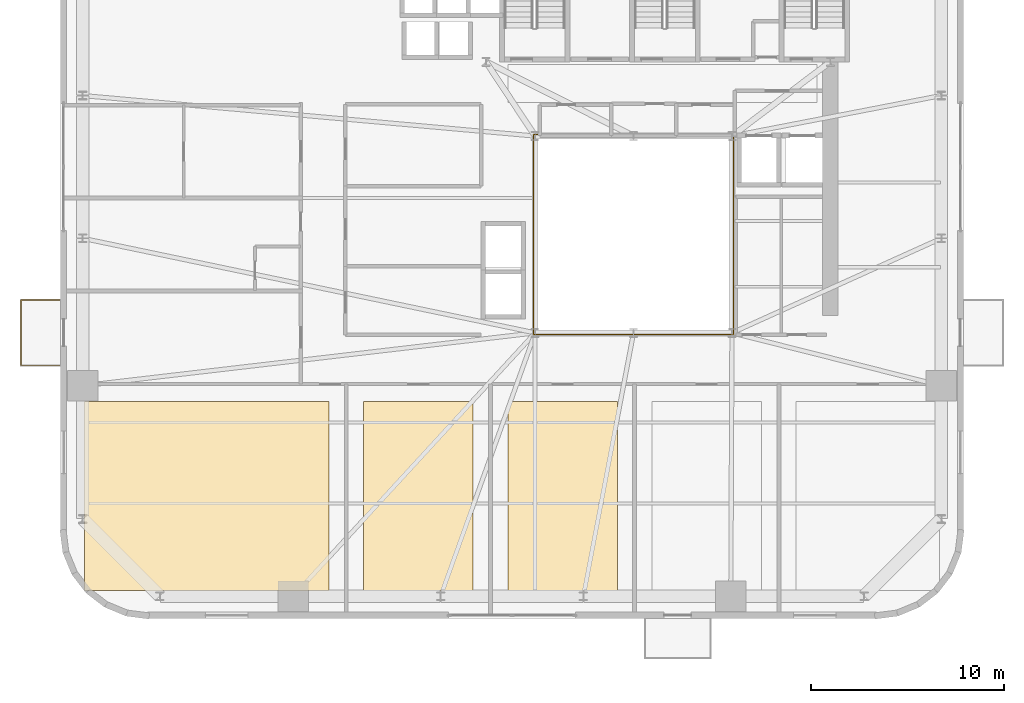
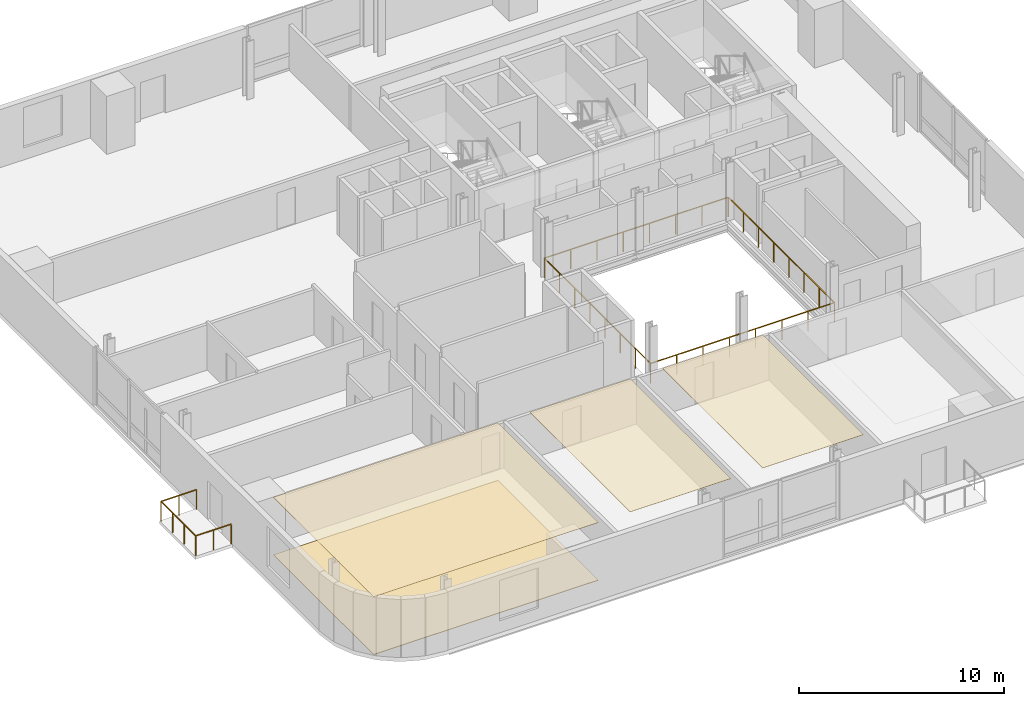
# One storey, part 10 of 13: 4 coverings, 2 railings.
"""IFC4 building model written with IfcOpenShell, lengths in metres."""

from ifc_helpers import new_model, si_unit, direction, frame, origin, origin_2d, place, context, subcontext, project, spatial, polyline, rectangle, outline, extrude, source, transform, mapped, material, layer, layer_set, type_object, element, save


model = new_model("IFC4")

# Units and contexts
model_context = context("Model", 3, precision=1e-05, world=origin(), true_north=direction((0.0, 1.0)))
body_context = subcontext(model_context, "Body", "Model", "MODEL_VIEW")
ifc_project = project(units=[si_unit("LENGTHUNIT", "METRE"), si_unit("AREAUNIT", "SQUARE_METRE"), si_unit("VOLUMEUNIT", "CUBIC_METRE"), si_unit("PLANEANGLEUNIT", "RADIAN"), si_unit("MASSUNIT", "GRAM", prefix="KILO")], contexts=[model_context])

# Site, building, storey
site_placement = place(None, origin())
site = spatial("IfcSite", under=ifc_project, at=site_placement, CompositionType="ELEMENT")
building_placement = place(site_placement, origin())
building = spatial("IfcBuilding", under=site, at=building_placement, Name="Vardaveli Station Tower", CompositionType="ELEMENT")
storey_placement = place(building_placement, frame((0.0, 0.0, 115.0)))
storey = spatial("IfcBuildingStorey", under=building, at=storey_placement, Name="L29", CompositionType="ELEMENT", Elevation=115.0)

# Coverings
ifc_material_1 = material(Name="Perforated acoustic mineral ceiling")
ifc_layer_1 = layer(ifc_material_1, 0.02001953125, Name="Perforated acoustic mineral ceiling")
ifc_layer_set_1 = layer_set([ifc_layer_1], Name="Perforated acoustic mineral ceiling")
covering_type_1 = type_object("IfcCoveringType", Name="COV-CEIL-AC20", PredefinedType="CEILING", material=ifc_layer_set_1)
covering_1_placement = place(storey_placement, frame((0.0, 0.0, 3.445068359375)))
element("IfcCovering", 1, at=covering_1_placement, inside=storey, type_object=covering_type_1, Name="CEIL-L29-1", PredefinedType="CEILING", context=body_context, shape_type="SweptSolid", body=[
    extrude(outline(polyline([(7.85009765625, 3.25), (20.510009765625, 3.25), (20.510009765625, 13.050048828125), (7.85009765625, 13.050048828125), (7.85009765625, 3.25)])), origin(), (0.0, 0.0, 1.0), 0.02001953125),
])
covering_2_placement = place(storey_placement, frame((0.0, 0.0, 3.445068359375)))
element("IfcCovering", 2, at=covering_2_placement, inside=storey, type_object=covering_type_1, Name="CEIL-L29-2", PredefinedType="CEILING", context=body_context, shape_type="SweptSolid", body=[
    extrude(outline(polyline([(22.31005859375, 3.25), (27.9833984375, 3.25), (27.9833984375, 13.050048828125), (22.31005859375, 13.050048828125), (22.31005859375, 3.25)])), origin(), (0.0, 0.0, 1.0), 0.02001953125),
])
covering_3_placement = place(storey_placement, frame((0.0, 0.0, 3.445068359375)))
element("IfcCovering", 3, at=covering_3_placement, inside=storey, type_object=covering_type_1, Name="CEIL-L29-3", PredefinedType="CEILING", context=body_context, shape_type="SweptSolid", body=[
    extrude(outline(polyline([(29.783203125, 3.25), (35.456787109375, 3.25), (35.456787109375, 13.050048828125), (29.783203125, 13.050048828125), (29.783203125, 3.25)])), origin(), (0.0, 0.0, 1.0), 0.02001953125),
])
ifc_material_2 = material(Name="Honed Caucasian basalt and travertine flooring", Category="masonry")
ifc_layer_2 = layer(ifc_material_2, 0.030029296875, Name="Honed Caucasian basalt and travertine flooring")
ifc_layer_set_2 = layer_set([ifc_layer_2], Name="Honed Caucasian basalt and travertine flooring")
covering_type_2 = type_object("IfcCoveringType", Name="COV-FLOOR-ST30", PredefinedType="FLOORING", material=ifc_layer_set_2)
covering_4_placement = place(storey_placement, origin())
element("IfcCovering", 4, at=covering_4_placement, inside=storey, type_object=covering_type_2, Name="FLR-L29-1", PredefinedType="FLOORING", context=body_context, shape_type="SweptSolid", body=[
    extrude(outline(polyline([(7.85009765625, 3.25), (20.510009765625, 3.25), (20.510009765625, 13.050048828125), (7.85009765625, 13.050048828125), (7.85009765625, 3.25)])), origin(), (0.0, 0.0, 1.0), 0.030029296875),
])

# Railings
ifc_material_3 = material(Name="Laminated glass and stainless steel balustrade", Category="steel")
railing_type = type_object("IfcRailingType", Name="RL-BAL-1200", PredefinedType="BALUSTRADE", material=ifc_material_3)
shared_shape_1 = source(origin(), body_context, "Body", "SweptSolid", [
    extrude(rectangle(XDim=0.048095703125, YDim=0.048095703125, at=origin_2d()), frame((0.0, 0.0, 1.17578125), z_axis=(-1.0, 0.0, 0.0), x_axis=(0.0, -1.0, 0.0)), (0.0, 0.0, 1.0), 2.0),
    extrude(rectangle(XDim=0.048095703125, YDim=0.048095703125, at=origin_2d()), frame((-2.0, 0.0, 1.17578125), z_axis=(0.0, 1.0, 0.0), x_axis=(-1.0, 0.0, 0.0)), (0.0, 0.0, 1.0), 3.3798828125),
    extrude(rectangle(XDim=0.048095703125, YDim=0.048095703125, at=origin_2d()), frame((-2.0, 3.3798828125, 1.17578125), z_axis=(1.0, 0.0, 0.0), x_axis=(0.0, 1.0, 0.0)), (0.0, 0.0, 1.0), 2.0),
    extrude(rectangle(XDim=0.0419921875, YDim=0.0419921875, at=origin_2d()), origin(), (0.0, 0.0, 1.0), 1.15185546875),
    extrude(rectangle(XDim=0.0419921875, YDim=0.0419921875, at=origin_2d()), frame((-1.0, 0.0, 0.0)), (0.0, 0.0, 1.0), 1.15185546875),
    extrude(rectangle(XDim=0.0419921875, YDim=0.0419921875, at=origin_2d()), frame((-2.0, 0.0, 0.0)), (0.0, 0.0, 1.0), 1.15185546875),
    extrude(rectangle(XDim=0.0419921875, YDim=0.0419921875, at=origin_2d()), frame((-2.0, 1.126708984375, 0.0)), (0.0, 0.0, 1.0), 1.15185546875),
    extrude(rectangle(XDim=0.0419921875, YDim=0.0419921875, at=origin_2d()), frame((-2.0, 2.253173828125, 0.0)), (0.0, 0.0, 1.0), 1.15185546875),
    extrude(rectangle(XDim=0.0419921875, YDim=0.0419921875, at=origin_2d()), frame((-2.0, 3.3798828125, 0.0)), (0.0, 0.0, 1.0), 1.15185546875),
    extrude(rectangle(XDim=0.0419921875, YDim=0.0419921875, at=origin_2d()), frame((-1.0, 3.3798828125, 0.0)), (0.0, 0.0, 1.0), 1.15185546875),
    extrude(rectangle(XDim=0.0419921875, YDim=0.0419921875, at=origin_2d()), frame((0.0, 3.3798828125, 0.0)), (0.0, 0.0, 1.0), 1.15185546875),
])
railing_1_placement = place(storey_placement, frame((6.56005859375, 14.92041015625, 0.0)))
element("IfcRailing", 5, at=railing_1_placement, inside=storey, type_object=railing_type, Name="RL-LOG-L29-03", PredefinedType="BALUSTRADE", context=body_context, shape_type="MappedRepresentation", body=[
    mapped(shared_shape_1, transform((0.0, 0.0, 0.0), scale=1.0)),
])
shared_shape_2 = source(origin(), body_context, "Body", "SweptSolid", [
    extrude(rectangle(XDim=0.048095703125, YDim=0.048095703125, at=origin_2d()), frame((0.0, 0.0, 1.17578125), z_axis=(1.0, 0.0, 0.0), x_axis=(0.0, 1.0, 0.0)), (0.0, 0.0, 1.0), 10.35986328125),
    extrude(rectangle(XDim=0.048095703125, YDim=0.048095703125, at=origin_2d()), frame((10.35986328125, 0.0, 1.17578125), z_axis=(0.0, 1.0, 0.0), x_axis=(-1.0, 0.0, 0.0)), (0.0, 0.0, 1.0), 10.35986328125),
    extrude(rectangle(XDim=0.048095703125, YDim=0.048095703125, at=origin_2d()), frame((10.35986328125, 10.35986328125, 1.17578125), z_axis=(-1.0, 0.0, 0.0), x_axis=(0.0, -1.0, 0.0)), (0.0, 0.0, 1.0), 10.35986328125),
    extrude(rectangle(XDim=0.048095703125, YDim=0.048095703125, at=origin_2d()), frame((0.0, 10.35986328125, 1.17578125), z_axis=(0.0, -1.0, 0.0), x_axis=(1.0, 0.0, 0.0)), (0.0, 0.0, 1.0), 10.35986328125),
    extrude(rectangle(XDim=0.0419921875, YDim=0.0419921875, at=origin_2d()), origin(), (0.0, 0.0, 1.0), 1.15185546875),
    extrude(rectangle(XDim=0.0419921875, YDim=0.0419921875, at=origin_2d()), frame((1.47998046875, 0.0, 0.0)), (0.0, 0.0, 1.0), 1.15185546875),
    extrude(rectangle(XDim=0.0419921875, YDim=0.0419921875, at=origin_2d()), frame((2.9599609375, 0.0, 0.0)), (0.0, 0.0, 1.0), 1.15185546875),
    extrude(rectangle(XDim=0.0419921875, YDim=0.0419921875, at=origin_2d()), frame((4.43994140625, 0.0, 0.0)), (0.0, 0.0, 1.0), 1.15185546875),
    extrude(rectangle(XDim=0.0419921875, YDim=0.0419921875, at=origin_2d()), frame((5.919921875, 0.0, 0.0)), (0.0, 0.0, 1.0), 1.15185546875),
    extrude(rectangle(XDim=0.0419921875, YDim=0.0419921875, at=origin_2d()), frame((7.39990234375, 0.0, 0.0)), (0.0, 0.0, 1.0), 1.15185546875),
    extrude(rectangle(XDim=0.0419921875, YDim=0.0419921875, at=origin_2d()), frame((8.8798828125, 0.0, 0.0)), (0.0, 0.0, 1.0), 1.15185546875),
    extrude(rectangle(XDim=0.0419921875, YDim=0.0419921875, at=origin_2d()), frame((10.35986328125, 0.0, 0.0)), (0.0, 0.0, 1.0), 1.15185546875),
    extrude(rectangle(XDim=0.0419921875, YDim=0.0419921875, at=origin_2d()), frame((10.35986328125, 1.47998046875, 0.0)), (0.0, 0.0, 1.0), 1.15185546875),
    extrude(rectangle(XDim=0.0419921875, YDim=0.0419921875, at=origin_2d()), frame((10.35986328125, 2.9599609375, 0.0)), (0.0, 0.0, 1.0), 1.15185546875),
    extrude(rectangle(XDim=0.0419921875, YDim=0.0419921875, at=origin_2d()), frame((10.35986328125, 4.43994140625, 0.0)), (0.0, 0.0, 1.0), 1.15185546875),
    extrude(rectangle(XDim=0.0419921875, YDim=0.0419921875, at=origin_2d()), frame((10.35986328125, 5.919921875, 0.0)), (0.0, 0.0, 1.0), 1.15185546875),
    extrude(rectangle(XDim=0.0419921875, YDim=0.0419921875, at=origin_2d()), frame((10.35986328125, 7.39990234375, 0.0)), (0.0, 0.0, 1.0), 1.15185546875),
    extrude(rectangle(XDim=0.0419921875, YDim=0.0419921875, at=origin_2d()), frame((10.35986328125, 8.8798828125, 0.0)), (0.0, 0.0, 1.0), 1.15185546875),
    extrude(rectangle(XDim=0.0419921875, YDim=0.0419921875, at=origin_2d()), frame((10.35986328125, 10.35986328125, 0.0)), (0.0, 0.0, 1.0), 1.15185546875),
    extrude(rectangle(XDim=0.0419921875, YDim=0.0419921875, at=origin_2d()), frame((8.8798828125, 10.35986328125, 0.0)), (0.0, 0.0, 1.0), 1.15185546875),
    extrude(rectangle(XDim=0.0419921875, YDim=0.0419921875, at=origin_2d()), frame((7.39990234375, 10.35986328125, 0.0)), (0.0, 0.0, 1.0), 1.15185546875),
    extrude(rectangle(XDim=0.0419921875, YDim=0.0419921875, at=origin_2d()), frame((5.919921875, 10.35986328125, 0.0)), (0.0, 0.0, 1.0), 1.15185546875),
    extrude(rectangle(XDim=0.0419921875, YDim=0.0419921875, at=origin_2d()), frame((4.43994140625, 10.35986328125, 0.0)), (0.0, 0.0, 1.0), 1.15185546875),
    extrude(rectangle(XDim=0.0419921875, YDim=0.0419921875, at=origin_2d()), frame((2.9599609375, 10.35986328125, 0.0)), (0.0, 0.0, 1.0), 1.15185546875),
    extrude(rectangle(XDim=0.0419921875, YDim=0.0419921875, at=origin_2d()), frame((1.47998046875, 10.35986328125, 0.0)), (0.0, 0.0, 1.0), 1.15185546875),
    extrude(rectangle(XDim=0.0419921875, YDim=0.0419921875, at=origin_2d()), frame((0.0, 10.35986328125, 0.0)), (0.0, 0.0, 1.0), 1.15185546875),
    extrude(rectangle(XDim=0.0419921875, YDim=0.0419921875, at=origin_2d()), frame((0.0, 8.8798828125, 0.0)), (0.0, 0.0, 1.0), 1.15185546875),
    extrude(rectangle(XDim=0.0419921875, YDim=0.0419921875, at=origin_2d()), frame((0.0, 7.39990234375, 0.0)), (0.0, 0.0, 1.0), 1.15185546875),
    extrude(rectangle(XDim=0.0419921875, YDim=0.0419921875, at=origin_2d()), frame((0.0, 5.919921875, 0.0)), (0.0, 0.0, 1.0), 1.15185546875),
    extrude(rectangle(XDim=0.0419921875, YDim=0.0419921875, at=origin_2d()), frame((0.0, 4.43994140625, 0.0)), (0.0, 0.0, 1.0), 1.15185546875),
    extrude(rectangle(XDim=0.0419921875, YDim=0.0419921875, at=origin_2d()), frame((0.0, 2.9599609375, 0.0)), (0.0, 0.0, 1.0), 1.15185546875),
    extrude(rectangle(XDim=0.0419921875, YDim=0.0419921875, at=origin_2d()), frame((0.0, 1.47998046875, 0.0)), (0.0, 0.0, 1.0), 1.15185546875),
])
railing_2_placement = place(storey_placement, frame((31.1201171875, 16.52001953125, 0.0)))
element("IfcRailing", 6, at=railing_2_placement, inside=storey, type_object=railing_type, Name="RL-ATR-L29", PredefinedType="BALUSTRADE", context=body_context, shape_type="MappedRepresentation", body=[
    mapped(shared_shape_2, transform((0.0, 0.0, 0.0), scale=1.0)),
])

save(model, "model.ifc")
